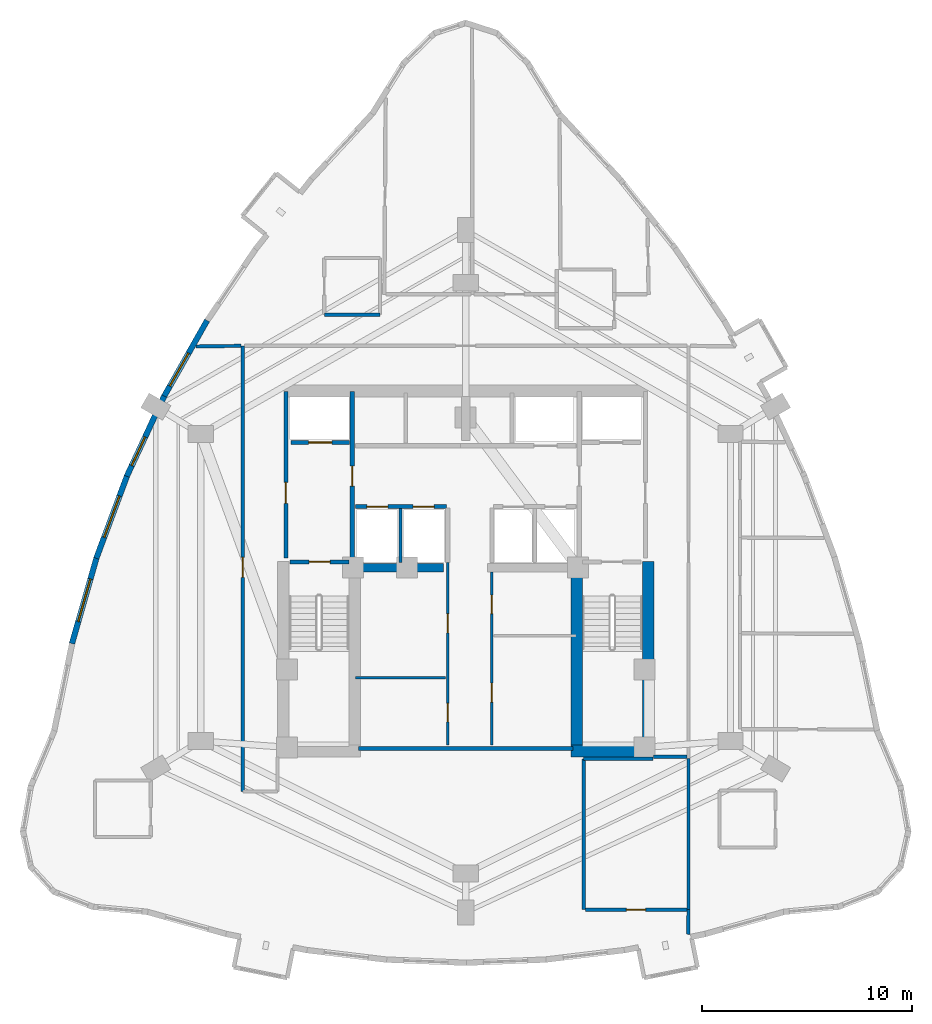
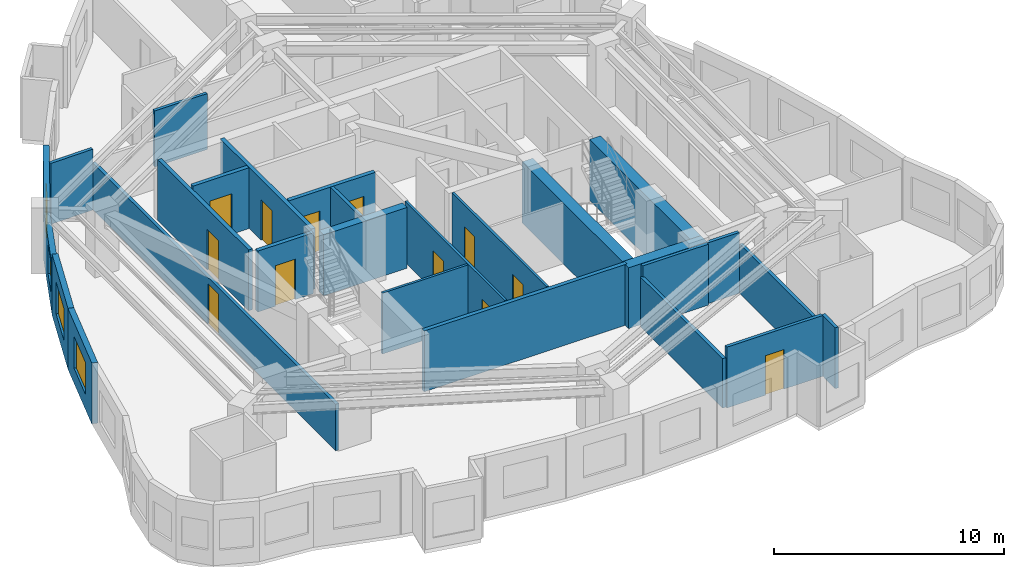
# One storey, part 4 of 8: 27 walls, 12 doors, 4 windows, 16 openings.
"""IFC4 building model written with IfcOpenShell, lengths in metres."""

from ifc_helpers import new_model, si_unit, direction, frame, frame_2d, origin, place, context, subcontext, project, spatial, rectangle, extrude, material, layer, layer_set, type_object, element, fill, save


model = new_model("IFC4")

# Units and contexts
model_context = context("Model", 3, precision=1e-05, world=origin(), true_north=direction((0.0, 1.0)))
body_context = subcontext(model_context, "Body", "Model", "MODEL_VIEW")
ifc_project = project(units=[si_unit("LENGTHUNIT", "METRE"), si_unit("AREAUNIT", "SQUARE_METRE"), si_unit("VOLUMEUNIT", "CUBIC_METRE"), si_unit("PLANEANGLEUNIT", "RADIAN"), si_unit("MASSUNIT", "GRAM", prefix="KILO")], contexts=[model_context])

# Site, building, storey
site_placement = place(None, origin())
site = spatial("IfcSite", under=ifc_project, at=site_placement, CompositionType="ELEMENT")
building_placement = place(site_placement, origin())
building = spatial("IfcBuilding", under=site, at=building_placement, Name="Miruveldt Soraemaru", CompositionType="ELEMENT")
storey_placement = place(building_placement, frame((0.0, 0.0, 177.39990234375)))
storey = spatial("IfcBuildingStorey", under=building, at=storey_placement, Name="L49", CompositionType="ELEMENT", Elevation=177.39990234375)

# Walls
ifc_material_1 = material(Name="Concrete C70/85 (70 MPa)", Category="concrete")
ifc_layer_1 = layer(ifc_material_1, 0.5, Name="Concrete C70/85 (70 MPa)", Category="concrete")
ifc_layer_set_1 = layer_set([ifc_layer_1], Name="Concrete C70/85 (70 MPa)")
wall_type_1 = type_object("IfcWallType", Name="WALL-BW-500", PredefinedType="SHEAR", material=ifc_layer_set_1)
wall_1_placement = place(storey_placement, frame((38.75, 44.050048828125, 0.0), z_axis=(0.0, 0.0, 1.0), x_axis=(1.0, 0.0, 0.0)))
element("IfcWall", 1, at=wall_1_placement, inside=storey, type_object=wall_type_1, Name="L49 Core Buttress Shear Wall BW", PredefinedType="SHEAR", context=body_context, shape_type="SweptSolid", body=[
    extrude(rectangle(XDim=4.199951171875, YDim=0.39990234375, at=frame_2d((2.10009765625, 0.0))), origin(), (0.0, 0.0, 1.0), 3.235107421875),
])
ifc_layer_2 = layer(ifc_material_1, 0.550048828125, Name="Concrete C70/85 (70 MPa)", Category="concrete")
ifc_layer_set_2 = layer_set([ifc_layer_2], Name="Concrete C70/85 (70 MPa)")
wall_type_2 = type_object("IfcWallType", Name="WALL-CW-550", PredefinedType="SHEAR", material=ifc_layer_set_2)
wall_2_placement = place(storey_placement, frame((49.0, 35.324951171875, 0.0), z_axis=(0.0, 0.0, 1.0), x_axis=(1.0, 0.0, 0.0)))
element("IfcWall", 2, at=wall_2_placement, inside=storey, type_object=wall_type_2, Name="L49 Central Core Shear Wall S2", PredefinedType="SHEAR", context=body_context, shape_type="SweptSolid", body=[
    extrude(rectangle(XDim=3.949951171875, YDim=0.550048828125, at=frame_2d((1.97509765625, 0.0))), origin(), (0.0, 0.0, 1.0), 3.235107421875),
])
wall_3_placement = place(storey_placement, frame((52.675048828125, 35.050048828125, 0.0), z_axis=(0.0, 0.0, 1.0), x_axis=(0.0, 1.0, 0.0)))
element("IfcWall", 3, at=wall_3_placement, inside=storey, type_object=wall_type_2, Name="L49 Central Core Shear Wall E1", PredefinedType="SHEAR", context=body_context, shape_type="SweptSolid", body=[
    extrude(rectangle(XDim=9.300048828125, YDim=0.550048828125, at=frame_2d((4.64990234375, 0.0))), origin(), (0.0, 0.0, 1.0), 3.235107421875),
])
wall_4_placement = place(storey_placement, frame((49.27490234375, 35.39990234375, 0.0), z_axis=(0.0, 0.0, 1.0), x_axis=(0.0, 1.0, 0.0)))
element("IfcWall", 4, at=wall_4_placement, inside=storey, type_object=wall_type_2, Name="L49 Central Core Shear Wall SE-INT", PredefinedType="SHEAR", context=body_context, shape_type="SweptSolid", body=[
    extrude(rectangle(XDim=8.9501953125, YDim=0.550048828125, at=frame_2d((4.47509765625, 0.0))), origin(), (0.0, 0.0, 1.0), 3.235107421875),
])

# Wall, opening, window
ifc_material_2 = material(Name="Precast concrete C45/55 (45 MPa)", Category="concrete")
ifc_layer_3 = layer(ifc_material_2, 0.27001953125, Name="Precast concrete C45/55 (45 MPa)", Category="concrete")
ifc_layer_set_3 = layer_set([ifc_layer_3], Name="Precast concrete C45/55 (45 MPa)")
wall_type_3 = type_object("IfcWallType", Name="WALL-EXT-PC270", PredefinedType="SOLIDWALL", material=ifc_layer_set_3)
wall_5_placement = place(storey_placement, frame((31.69970703125, 55.805419921875, 0.0), z_axis=(0.0, 0.0, 1.0), x_axis=(-0.493374182054, -0.869817174171, 0.0)))
wall_5 = element("IfcWall", 5, at=wall_5_placement, inside=storey, type_object=wall_type_3, Name="L49 Precast Concrete Facade Wall 10", PredefinedType="SOLIDWALL", context=body_context, shape_type="SweptSolid", body=[
    extrude(rectangle(XDim=4.20703125, YDim=0.27001953125, at=frame_2d((2.103515625, 0.0))), origin(), (0.0, 0.0, 1.0), 3.235107421875),
])
opening_1_placement = place(wall_5_placement, frame((1.7890625, 0.0, 0.800048828125)))
opening_1 = element("IfcOpeningElement", 6, at=opening_1_placement, cuts=wall_5, Name="Opening WN-2", PredefinedType="OPENING", context=body_context, shape_type="SweptSolid", body=[
    extrude(rectangle(XDim=1.800048828125, YDim=1.64990234375, at=frame_2d((0.89990234375, 0.824951171875))), frame((0.0, 0.14501953125, 0.0), z_axis=(0.0, -1.0, 0.0), x_axis=(1.0, 0.0, 0.0)), (0.0, 0.0, 1.0), 0.2900390625),
])
ifc_material_3 = material(Name="Triple low-e insulated glazing", Category="glass")
window_type_1 = type_object("IfcWindowType", Name="WIN-PUNCH-1800x1650", PartitioningType="SINGLE_PANEL", PredefinedType="WINDOW", material=ifc_material_3)
window_1_placement = place(opening_1_placement, origin())
window_1 = element("IfcWindow", 7, at=window_1_placement, inside=storey, type_object=window_type_1, Name="L49 Punched Triple-Glazed Window 10.1", OverallHeight=1.64990234375, OverallWidth=1.800048828125, PartitioningType="SINGLE_PANEL", PredefinedType="WINDOW", context=body_context, shape_type="SweptSolid", body=[
    extrude(rectangle(XDim=1.800048828125, YDim=1.64990234375, at=frame_2d((0.89990234375, 0.824951171875))), frame((0.0, 0.030029296875, 0.0), z_axis=(0.0, -1.0, 0.0), x_axis=(1.0, 0.0, 0.0)), (0.0, 0.0, 1.0), 0.06005859375),
])
fill(opening_1, window_1)

wall_6_placement = place(storey_placement, frame((29.65625, 52.2080078125, 0.0), z_axis=(0.0, 0.0, 1.0), x_axis=(-0.422345326192, -0.906435008947, 0.0)))
wall_6 = element("IfcWall", 8, at=wall_6_placement, inside=storey, type_object=wall_type_3, Name="L49 Precast Concrete Facade Wall 11", PredefinedType="SOLIDWALL", context=body_context, shape_type="SweptSolid", body=[
    extrude(rectangle(XDim=4.20703125, YDim=0.27001953125, at=frame_2d((2.103515625, 0.0))), origin(), (0.0, 0.0, 1.0), 2.635009765625),
])
opening_2_placement = place(wall_6_placement, frame((2.14990234375, 0.0, 0.800048828125)))
opening_2 = element("IfcOpeningElement", 9, at=opening_2_placement, cuts=wall_6, Name="Opening WN-3", PredefinedType="OPENING", context=body_context, shape_type="SweptSolid", body=[
    extrude(rectangle(XDim=1.5, YDim=1.60009765625, at=frame_2d((0.75, 0.800048828125))), frame((0.0, 0.14501953125, 0.0), z_axis=(0.0, -1.0, 0.0), x_axis=(1.0, 0.0, 0.0)), (0.0, 0.0, 1.0), 0.2900390625),
])
window_type_2 = type_object("IfcWindowType", Name="WIN-PUNCH-1500x1600", PartitioningType="SINGLE_PANEL", PredefinedType="WINDOW", material=ifc_material_3)
window_2_placement = place(opening_2_placement, origin())
window_2 = element("IfcWindow", 10, at=window_2_placement, inside=storey, type_object=window_type_2, Name="L49 Punched Triple-Glazed Window 11.1", OverallHeight=1.60009765625, OverallWidth=1.5, PartitioningType="SINGLE_PANEL", PredefinedType="WINDOW", context=body_context, shape_type="SweptSolid", body=[
    extrude(rectangle(XDim=1.5, YDim=1.60009765625, at=frame_2d((0.75, 0.800048828125))), frame((0.0, 0.030029296875, 0.0), z_axis=(0.0, -1.0, 0.0), x_axis=(1.0, 0.0, 0.0)), (0.0, 0.0, 1.0), 0.06005859375),
])
fill(opening_2, window_2)

wall_7_placement = place(storey_placement, frame((27.906494140625, 48.458984375, 0.0), z_axis=(0.0, 0.0, 1.0), x_axis=(-0.349011712454, -0.937118362092, 0.0)))
wall_7 = element("IfcWall", 11, at=wall_7_placement, inside=storey, type_object=wall_type_3, Name="L49 Precast Concrete Facade Wall 12", PredefinedType="SOLIDWALL", context=body_context, shape_type="SweptSolid", body=[
    extrude(rectangle(XDim=4.2333984375, YDim=0.27001953125, at=frame_2d((2.11669921875, 0.0))), origin(), (0.0, 0.0, 1.0), 3.235107421875),
])
opening_3_placement = place(wall_7_placement, frame((1.06689453125, 0.0, 0.800048828125)))
opening_3 = element("IfcOpeningElement", 12, at=opening_3_placement, cuts=wall_7, Name="Opening WN-1", PredefinedType="OPENING", context=body_context, shape_type="SweptSolid", body=[
    extrude(rectangle(XDim=2.10009765625, YDim=1.699951171875, at=frame_2d((1.050048828125, 0.85009765625))), frame((0.0, 0.14501953125, 0.0), z_axis=(0.0, -1.0, 0.0), x_axis=(1.0, 0.0, 0.0)), (0.0, 0.0, 1.0), 0.2900390625),
])
window_type_3 = type_object("IfcWindowType", Name="WIN-PUNCH-2100x1700", PartitioningType="SINGLE_PANEL", PredefinedType="WINDOW", material=ifc_material_3)
window_3_placement = place(opening_3_placement, origin())
window_3 = element("IfcWindow", 13, at=window_3_placement, inside=storey, type_object=window_type_3, Name="L49 Punched Triple-Glazed Window 12.1", OverallHeight=1.699951171875, OverallWidth=2.10009765625, PartitioningType="SINGLE_PANEL", PredefinedType="WINDOW", context=body_context, shape_type="SweptSolid", body=[
    extrude(rectangle(XDim=2.10009765625, YDim=1.699951171875, at=frame_2d((1.050048828125, 0.85009765625))), frame((0.0, 0.030029296875, 0.0), z_axis=(0.0, -1.0, 0.0), x_axis=(1.0, 0.0, 0.0)), (0.0, 0.0, 1.0), 0.06005859375),
])
fill(opening_3, window_3)

wall_8_placement = place(storey_placement, frame((26.45068359375, 44.55810546875, 0.0), z_axis=(0.0, 0.0, 1.0), x_axis=(-0.274984460163, -0.961448670845, 0.0)))
wall_8 = element("IfcWall", 14, at=wall_8_placement, inside=storey, type_object=wall_type_3, Name="L49 Precast Concrete Facade Wall 13", PredefinedType="SOLIDWALL", context=body_context, shape_type="SweptSolid", body=[
    extrude(rectangle(XDim=4.28564453125, YDim=0.27001953125, at=frame_2d((2.142822265625, 0.0))), origin(), (0.0, 0.0, 1.0), 3.235107421875),
])
opening_4_placement = place(wall_8_placement, frame((1.093017578125, 0.0, 0.800048828125)))
opening_4 = element("IfcOpeningElement", 15, at=opening_4_placement, cuts=wall_8, Name="Opening WN-1", PredefinedType="OPENING", context=body_context, shape_type="SweptSolid", body=[
    extrude(rectangle(XDim=2.10009765625, YDim=1.699951171875, at=frame_2d((1.050048828125, 0.85009765625))), frame((0.0, 0.14501953125, 0.0), z_axis=(0.0, -1.0, 0.0), x_axis=(1.0, 0.0, 0.0)), (0.0, 0.0, 1.0), 0.2900390625),
])
window_4_placement = place(opening_4_placement, origin())
window_4 = element("IfcWindow", 16, at=window_4_placement, inside=storey, type_object=window_type_3, Name="L49 Punched Triple-Glazed Window 13.1", OverallHeight=1.699951171875, OverallWidth=2.10009765625, PartitioningType="SINGLE_PANEL", PredefinedType="WINDOW", context=body_context, shape_type="SweptSolid", body=[
    extrude(rectangle(XDim=2.10009765625, YDim=1.699951171875, at=frame_2d((1.050048828125, 0.85009765625))), frame((0.0, 0.030029296875, 0.0), z_axis=(0.0, -1.0, 0.0), x_axis=(1.0, 0.0, 0.0)), (0.0, 0.0, 1.0), 0.06005859375),
])
fill(opening_4, window_4)

# Wall, openings, doors
ifc_material_4 = material(Name="Gypsum plasterboard lining", Category="gypsum")
ifc_layer_4 = layer(ifc_material_4, 0.1201171875, Name="Gypsum plasterboard lining", Category="gypsum")
ifc_layer_set_4 = layer_set([ifc_layer_4], Name="Gypsum plasterboard lining")
wall_type_4 = type_object("IfcWallType", Name="WALL-INT-P120", PredefinedType="PARTITIONING", material=ifc_layer_set_4)
wall_9_placement = place(storey_placement, frame((43.14990234375, 35.60009765625, 0.0), z_axis=(0.0, 0.0, 1.0), x_axis=(0.0, 1.0, 0.0)))
wall_9 = element("IfcWall", 17, at=wall_9_placement, inside=storey, type_object=wall_type_4, Name="L49 Core Compartment Wall SP-WL", PredefinedType="PARTITIONING", context=body_context, shape_type="SweptSolid", body=[
    extrude(rectangle(XDim=8.699951171875, YDim=0.1201171875, at=frame_2d((4.35009765625, 0.0))), origin(), (0.0, 0.0, 1.0), 3.235107421875),
])
opening_5_placement = place(wall_9_placement, frame((1.110107421875, 0.0, 0.0)))
opening_5 = element("IfcOpeningElement", 18, at=opening_5_placement, cuts=wall_9, Name="Opening D4", PredefinedType="OPENING", context=body_context, shape_type="SweptSolid", body=[
    extrude(rectangle(XDim=0.8798828125, YDim=2.10009765625, at=frame_2d((0.43994140625, 1.050048828125))), frame((0.0, 0.070068359375, 0.0), z_axis=(0.0, -1.0, 0.0), x_axis=(1.0, 0.0, 0.0)), (0.0, 0.0, 1.0), 0.14013671875),
])
opening_6_placement = place(wall_9_placement, frame((5.35009765625, 0.0, 0.0)))
opening_6 = element("IfcOpeningElement", 19, at=opening_6_placement, cuts=wall_9, Name="Opening D3", PredefinedType="OPENING", context=body_context, shape_type="SweptSolid", body=[
    extrude(rectangle(XDim=0.89990234375, YDim=2.10009765625, at=frame_2d((0.449951171875, 1.050048828125))), frame((0.0, 0.070068359375, 0.0), z_axis=(0.0, -1.0, 0.0), x_axis=(1.0, 0.0, 0.0)), (0.0, 0.0, 1.0), 0.14013671875),
])
ifc_material_5 = material(Name="Anodised aluminium EN AW-6063 T6", Category="aluminium")
door_type_1 = type_object("IfcDoorType", Name="DOOR-INT-880", OperationType="NOTDEFINED", PredefinedType="DOOR", material=ifc_material_5)
door_1_placement = place(opening_5_placement, origin())
door_1 = element("IfcDoor", 20, at=door_1_placement, inside=storey, type_object=door_type_1, Name="L49 Fire Door", OperationType="SINGLE_SWING_LEFT", OverallHeight=2.10009765625, OverallWidth=0.8798828125, PredefinedType="DOOR", context=body_context, shape_type="SweptSolid", body=[
    extrude(rectangle(XDim=0.8798828125, YDim=2.10009765625, at=frame_2d((0.43994140625, 1.050048828125))), frame((0.0, 0.02490234375, 0.0), z_axis=(0.0, -1.0, 0.0), x_axis=(1.0, 0.0, 0.0)), (0.0, 0.0, 1.0), 0.050048828125),
])
fill(opening_5, door_1)
door_type_2 = type_object("IfcDoorType", Name="DOOR-INT-900", OperationType="NOTDEFINED", PredefinedType="DOOR", material=ifc_material_5)
door_2_placement = place(opening_6_placement, origin())
door_2 = element("IfcDoor", 21, at=door_2_placement, inside=storey, type_object=door_type_2, Name="L49 Fire Door", OperationType="SINGLE_SWING_LEFT", OverallHeight=2.10009765625, OverallWidth=0.89990234375, PredefinedType="DOOR", context=body_context, shape_type="SweptSolid", body=[
    extrude(rectangle(XDim=0.89990234375, YDim=2.10009765625, at=frame_2d((0.449951171875, 1.050048828125))), frame((0.0, 0.02490234375, 0.0), z_axis=(0.0, -1.0, 0.0), x_axis=(1.0, 0.0, 0.0)), (0.0, 0.0, 1.0), 0.050048828125),
])
fill(opening_6, door_2)

wall_10_placement = place(storey_placement, frame((45.25, 35.60009765625, 0.0), z_axis=(0.0, 0.0, 1.0), x_axis=(0.0, 1.0, 0.0)))
wall_10 = element("IfcWall", 22, at=wall_10_placement, inside=storey, type_object=wall_type_4, Name="L49 Core Compartment Wall SP-EL", PredefinedType="PARTITIONING", context=body_context, shape_type="SweptSolid", body=[
    extrude(rectangle(XDim=8.25, YDim=0.1201171875, at=frame_2d((4.125, 0.0))), origin(), (0.0, 0.0, 1.0), 3.235107421875),
])
opening_7_placement = place(wall_10_placement, frame((2.050048828125, 0.0, 0.0)))
opening_7 = element("IfcOpeningElement", 23, at=opening_7_placement, cuts=wall_10, Name="Opening D3", PredefinedType="OPENING", context=body_context, shape_type="SweptSolid", body=[
    extrude(rectangle(XDim=0.89990234375, YDim=2.10009765625, at=frame_2d((0.449951171875, 1.050048828125))), frame((0.0, 0.070068359375, 0.0), z_axis=(0.0, -1.0, 0.0), x_axis=(1.0, 0.0, 0.0)), (0.0, 0.0, 1.0), 0.14013671875),
])
opening_8_placement = place(wall_10_placement, frame((6.260009765625, 0.0, 0.0)))
opening_8 = element("IfcOpeningElement", 24, at=opening_8_placement, cuts=wall_10, Name="Opening D4", PredefinedType="OPENING", context=body_context, shape_type="SweptSolid", body=[
    extrude(rectangle(XDim=0.8798828125, YDim=2.10009765625, at=frame_2d((0.43994140625, 1.050048828125))), frame((0.0, 0.070068359375, 0.0), z_axis=(0.0, -1.0, 0.0), x_axis=(1.0, 0.0, 0.0)), (0.0, 0.0, 1.0), 0.14013671875),
])
door_3_placement = place(opening_8_placement, origin())
door_3 = element("IfcDoor", 25, at=door_3_placement, inside=storey, type_object=door_type_1, Name="L49 Fire Door", OperationType="SINGLE_SWING_LEFT", OverallHeight=2.10009765625, OverallWidth=0.8798828125, PredefinedType="DOOR", context=body_context, shape_type="SweptSolid", body=[
    extrude(rectangle(XDim=0.8798828125, YDim=2.10009765625, at=frame_2d((0.43994140625, 1.050048828125))), frame((0.0, 0.02490234375, 0.0), z_axis=(0.0, -1.0, 0.0), x_axis=(1.0, 0.0, 0.0)), (0.0, 0.0, 1.0), 0.050048828125),
])
fill(opening_8, door_3)
door_4_placement = place(opening_7_placement, origin())
door_4 = element("IfcDoor", 26, at=door_4_placement, inside=storey, type_object=door_type_2, Name="L49 Fire Door", OperationType="SINGLE_SWING_LEFT", OverallHeight=2.10009765625, OverallWidth=0.89990234375, PredefinedType="DOOR", context=body_context, shape_type="SweptSolid", body=[
    extrude(rectangle(XDim=0.89990234375, YDim=2.10009765625, at=frame_2d((0.449951171875, 1.050048828125))), frame((0.0, 0.02490234375, 0.0), z_axis=(0.0, -1.0, 0.0), x_axis=(1.0, 0.0, 0.0)), (0.0, 0.0, 1.0), 0.050048828125),
])
fill(opening_7, door_4)

# Walls
wall_11_placement = place(storey_placement, frame((38.75, 38.800048828125, 0.0), z_axis=(0.0, 0.0, 1.0), x_axis=(1.0, 0.0, 0.0)))
element("IfcWall", 27, at=wall_11_placement, inside=storey, type_object=wall_type_4, Name="L49 Core Compartment Wall RL-W2H", PredefinedType="PARTITIONING", context=body_context, shape_type="SweptSolid", body=[
    extrude(rectangle(XDim=4.300048828125, YDim=0.1201171875, at=frame_2d((2.14990234375, 0.0))), origin(), (0.0, 0.0, 1.0), 3.235107421875),
])
ifc_layer_5 = layer(ifc_material_4, 0.14990234375, Name="Gypsum plasterboard lining", Category="gypsum")
ifc_layer_set_5 = layer_set([ifc_layer_5], Name="Gypsum plasterboard lining")
wall_type_5 = type_object("IfcWallType", Name="WALL-INT-PLUMB", PredefinedType="PLUMBINGWALL", material=ifc_layer_set_5)
wall_12_placement = place(storey_placement, frame((37.27490234375, 56.080078125, 0.0), z_axis=(0.0, 0.0, 1.0), x_axis=(1.0, 0.0, 0.0)))
element("IfcWall", 28, at=wall_12_placement, inside=storey, type_object=wall_type_5, Name="L49 Partition Wall 9", PredefinedType="PLUMBINGWALL", context=body_context, shape_type="SweptSolid", body=[
    extrude(rectangle(XDim=2.650146484375, YDim=0.14990234375, at=frame_2d((1.3251953125, 0.0))), origin(), (0.0, 0.0, 1.0), 2.97314453125),
])

# Wall, opening, door
ifc_material_6 = material(Name="Concrete C40/50 (40 MPa)", Category="concrete")
ifc_layer_6 = layer(ifc_material_6, 0.159912109375, Name="Concrete C40/50 (40 MPa)", Category="concrete")
ifc_layer_set_6 = layer_set([ifc_layer_6], Name="Concrete C40/50 (40 MPa)")
wall_type_6 = type_object("IfcWallType", Name="WALL-INT-RC160", PredefinedType="SOLIDWALL", material=ifc_layer_set_6)
wall_13_placement = place(storey_placement, frame((33.39990234375, 54.594970703125, 0.0), z_axis=(0.0, 0.0, 1.0), x_axis=(0.0, -1.0, 0.0)))
wall_13 = element("IfcWall", 29, at=wall_13_placement, inside=storey, type_object=wall_type_6, Name="L49 Partition Wall 2", PredefinedType="SOLIDWALL", context=body_context, shape_type="SweptSolid", body=[
    extrude(rectangle(XDim=21.195068359375, YDim=0.159912109375, at=frame_2d((10.59765625, 0.0))), origin(), (0.0, 0.0, 1.0), 2.47314453125),
])
opening_9_placement = place(wall_13_placement, frame((10.06201171875, 0.0, 0.0)))
opening_9 = element("IfcOpeningElement", 30, at=opening_9_placement, cuts=wall_13, Name="Opening FD2", PredefinedType="OPENING", context=body_context, shape_type="SweptSolid", body=[
    extrude(rectangle(XDim=0.949951171875, YDim=2.14990234375, at=frame_2d((0.47509765625, 1.074951171875))), frame((0.0, 0.08984375, 0.0), z_axis=(0.0, -1.0, 0.0), x_axis=(1.0, 0.0, 0.0)), (0.0, 0.0, 1.0), 0.179931640625),
])
door_type_3 = type_object("IfcDoorType", Name="DOOR-FD2-950", OperationType="NOTDEFINED", PredefinedType="DOOR", material=ifc_material_5)
door_5_placement = place(opening_9_placement, origin())
door_5 = element("IfcDoor", 31, at=door_5_placement, inside=storey, type_object=door_type_3, Name="L49 Unit CL02 Entrance Fire Door", OperationType="SINGLE_SWING_RIGHT", OverallHeight=2.14990234375, OverallWidth=0.949951171875, PredefinedType="DOOR", context=body_context, shape_type="SweptSolid", body=[
    extrude(rectangle(XDim=0.949951171875, YDim=2.14990234375, at=frame_2d((0.47509765625, 1.074951171875))), frame((0.0, 0.02490234375, 0.0), z_axis=(0.0, -1.0, 0.0), x_axis=(1.0, 0.0, 0.0)), (0.0, 0.0, 1.0), 0.050048828125),
])
fill(opening_9, door_5)

wall_14_placement = place(storey_placement, frame((54.52001953125, 27.778076171875, 0.0), z_axis=(0.0, 0.0, 1.0), x_axis=(-1.0, 0.0, 0.0)))
wall_14 = element("IfcWall", 32, at=wall_14_placement, inside=storey, type_object=wall_type_6, Name="L49 Partition Wall 29", PredefinedType="SOLIDWALL", context=body_context, shape_type="SweptSolid", body=[
    extrude(rectangle(XDim=4.8310546875, YDim=0.159912109375, at=frame_2d((2.41552734375, 0.0))), origin(), (0.0, 0.0, 1.0), 3.235107421875),
])
opening_10_placement = place(wall_14_placement, frame((1.9560546875, 0.0, 0.0)))
opening_10 = element("IfcOpeningElement", 33, at=opening_10_placement, cuts=wall_14, Name="Opening D3A", PredefinedType="OPENING", context=body_context, shape_type="SweptSolid", body=[
    extrude(rectangle(XDim=0.919921875, YDim=2.10009765625, at=frame_2d((0.4599609375, 1.050048828125))), frame((0.0, 0.08984375, 0.0), z_axis=(0.0, -1.0, 0.0), x_axis=(1.0, 0.0, 0.0)), (0.0, 0.0, 1.0), 0.179931640625),
])
door_type_4 = type_object("IfcDoorType", Name="DOOR-INT-920", OperationType="NOTDEFINED", PredefinedType="DOOR", material=ifc_material_5)
door_6_placement = place(opening_10_placement, origin())
door_6 = element("IfcDoor", 34, at=door_6_placement, inside=storey, type_object=door_type_4, Name="L49 Unit CL02 EXT Door", OperationType="SINGLE_SWING_RIGHT", OverallHeight=2.10009765625, OverallWidth=0.919921875, PredefinedType="DOOR", context=body_context, shape_type="SweptSolid", body=[
    extrude(rectangle(XDim=0.919921875, YDim=2.10009765625, at=frame_2d((0.4599609375, 1.050048828125))), frame((0.0, 0.02490234375, 0.0), z_axis=(0.0, -1.0, 0.0), x_axis=(1.0, 0.0, 0.0)), (0.0, 0.0, 1.0), 0.050048828125),
])
fill(opening_10, door_6)

# Walls
wall_15_placement = place(storey_placement, frame((54.60009765625, 34.9599609375, 0.0), z_axis=(0.0, 0.0, 1.0), x_axis=(0.0, -1.0, 0.0)))
element("IfcWall", 35, at=wall_15_placement, inside=storey, type_object=wall_type_6, Name="L49 Partition Wall 42", PredefinedType="SOLIDWALL", context=body_context, shape_type="SweptSolid", body=[
    extrude(rectangle(XDim=7.181884765625, YDim=0.159912109375, at=frame_2d((3.5908203125, 0.0))), origin(), (0.0, 0.0, 1.0), 2.635009765625),
])
wall_16_placement = place(storey_placement, frame((49.60888671875, 27.778076171875, 0.0), z_axis=(0.0, 0.0, 1.0), x_axis=(0.0, 1.0, 0.0)))
element("IfcWall", 36, at=wall_16_placement, inside=storey, type_object=wall_type_6, Name="L49 Partition Wall 43", PredefinedType="SOLIDWALL", context=body_context, shape_type="SweptSolid", body=[
    extrude(rectangle(XDim=7.171875, YDim=0.159912109375, at=frame_2d((3.5859375, 0.0))), origin(), (0.0, 0.0, 1.0), 2.635009765625),
])
wall_17_placement = place(storey_placement, frame((49.60888671875, 34.949951171875, 0.0), z_axis=(0.0, 0.0, 1.0), x_axis=(1.0, 0.0, 0.0)))
element("IfcWall", 37, at=wall_17_placement, inside=storey, type_object=wall_type_6, Name="L49 Partition Wall 44", PredefinedType="SOLIDWALL", context=body_context, shape_type="SweptSolid", body=[
    extrude(rectangle(XDim=3.30712890625, YDim=0.159912109375, at=frame_2d((1.653564453125, 0.0))), origin(), (0.0, 0.0, 1.0), 3.235107421875),
])
wall_18_placement = place(storey_placement, frame((40.89990234375, 44.300048828125, 0.0), z_axis=(0.0, 0.0, 1.0), x_axis=(0.0, 1.0, 0.0)))
element("IfcWall", 38, at=wall_18_placement, inside=storey, type_object=wall_type_6, Name="L49 Core Compartment Wall PLM-DW", PredefinedType="SOLIDWALL", context=body_context, shape_type="SweptSolid", body=[
    extrude(rectangle(XDim=2.550048828125, YDim=0.159912109375, at=frame_2d((1.27490234375, 0.0))), origin(), (0.0, 0.0, 1.0), 3.235107421875),
])
wall_19_placement = place(storey_placement, frame((31.169921875, 54.568115234375, 0.0), z_axis=(0.0, 0.0, 1.0), x_axis=(0.999895545538, 0.014453304608, 0.0)))
element("IfcWall", 39, at=wall_19_placement, inside=storey, type_object=wall_type_6, Name="L49 Partition Wall 18", PredefinedType="SOLIDWALL", context=body_context, shape_type="SweptSolid", body=[
    extrude(rectangle(XDim=2.145263671875, YDim=0.159912109375, at=frame_2d((1.07275390625, 0.0))), origin(), (0.0, 0.0, 1.0), 3.235107421875),
])
wall_20_placement = place(storey_placement, frame((52.946044921875, 35.050048828125, 0.0), z_axis=(0.0, 0.0, 1.0), x_axis=(1.0, 0.0, 0.0)))
element("IfcWall", 40, at=wall_20_placement, inside=storey, type_object=wall_type_6, Name="L49 Partition Wall 4", PredefinedType="SOLIDWALL", context=body_context, shape_type="SweptSolid", body=[
    extrude(rectangle(XDim=1.571044921875, YDim=0.159912109375, at=frame_2d((0.78564453125, 0.0))), origin(), (0.0, 0.0, 1.0), 3.235107421875),
])
wall_21_placement = place(storey_placement, frame((54.5869140625, 26.60888671875, 0.0), z_axis=(0.0, 0.0, 1.0), x_axis=(0.010440024029, 0.999945501464, 0.0)))
element("IfcWall", 41, at=wall_21_placement, inside=storey, type_object=wall_type_6, Name="L49 Partition Wall 30", PredefinedType="SOLIDWALL", context=body_context, shape_type="SweptSolid", body=[
    extrude(rectangle(XDim=1.169189453125, YDim=0.159912109375, at=frame_2d((0.58447265625, 0.0))), origin(), (0.0, 0.0, 1.0), 3.235107421875),
])

# Wall, opening, door
ifc_layer_7 = layer(ifc_material_6, 0.199951171875, Name="Concrete C40/50 (40 MPa)", Category="concrete")
ifc_layer_set_7 = layer_set([ifc_layer_7], Name="Concrete C40/50 (40 MPa)")
wall_type_7 = type_object("IfcWallType", Name="WALL-INT-RC200", PredefinedType="SOLIDWALL", material=ifc_layer_set_7)
wall_22_placement = place(storey_placement, frame((35.449951171875, 44.5, 0.0), z_axis=(0.0, 0.0, 1.0), x_axis=(0.0, 1.0, 0.0)))
wall_22 = element("IfcWall", 42, at=wall_22_placement, inside=storey, type_object=wall_type_7, Name="L49 Core Compartment Wall FFW-OUT", PredefinedType="SOLIDWALL", context=body_context, shape_type="SweptSolid", body=[
    extrude(rectangle(XDim=7.919921875, YDim=0.199951171875, at=frame_2d((3.9599609375, 0.0))), origin(), (0.0, 0.0, 1.0), 3.235107421875),
])
opening_11_placement = place(wall_22_placement, frame((2.60009765625, 0.0, 0.0)))
opening_11 = element("IfcOpeningElement", 43, at=opening_11_placement, cuts=wall_22, Name="Opening FD1", PredefinedType="OPENING", context=body_context, shape_type="SweptSolid", body=[
    extrude(rectangle(XDim=1.0, YDim=2.14990234375, at=frame_2d((0.5, 1.074951171875))), frame((0.0, 0.10986328125, 0.0), z_axis=(0.0, -1.0, 0.0), x_axis=(1.0, 0.0, 0.0)), (0.0, 0.0, 1.0), 0.219970703125),
])
door_type_5 = type_object("IfcDoorType", Name="DOOR-FD1-1000", OperationType="NOTDEFINED", PredefinedType="DOOR", material=ifc_material_5)
door_7_placement = place(opening_11_placement, origin())
door_7 = element("IfcDoor", 44, at=door_7_placement, inside=storey, type_object=door_type_5, Name="L49 West Firefighting Lobby Exit Door", OperationType="SINGLE_SWING_LEFT", OverallHeight=2.14990234375, OverallWidth=1.0, PredefinedType="DOOR", context=body_context, shape_type="SweptSolid", body=[
    extrude(rectangle(XDim=1.0, YDim=2.14990234375, at=frame_2d((0.5, 1.074951171875))), frame((0.0, 0.02490234375, 0.0), z_axis=(0.0, -1.0, 0.0), x_axis=(1.0, 0.0, 0.0)), (0.0, 0.0, 1.0), 0.050048828125),
])
fill(opening_11, door_7)

wall_23_placement = place(storey_placement, frame((38.60009765625, 44.5, 0.0), z_axis=(0.0, 0.0, 1.0), x_axis=(0.0, 1.0, 0.0)))
wall_23 = element("IfcWall", 45, at=wall_23_placement, inside=storey, type_object=wall_type_7, Name="L49 Core Compartment Wall FFW-IN", PredefinedType="SOLIDWALL", context=body_context, shape_type="SweptSolid", body=[
    extrude(rectangle(XDim=7.919921875, YDim=0.199951171875, at=frame_2d((3.9599609375, 0.0))), origin(), (0.0, 0.0, 1.0), 3.235107421875),
])
opening_12_placement = place(wall_23_placement, frame((3.425048828125, 0.0, 0.0)))
opening_12 = element("IfcOpeningElement", 46, at=opening_12_placement, cuts=wall_23, Name="Opening FD2", PredefinedType="OPENING", context=body_context, shape_type="SweptSolid", body=[
    extrude(rectangle(XDim=0.949951171875, YDim=2.14990234375, at=frame_2d((0.47509765625, 1.074951171875))), frame((0.0, 0.10986328125, 0.0), z_axis=(0.0, -1.0, 0.0), x_axis=(1.0, 0.0, 0.0)), (0.0, 0.0, 1.0), 0.219970703125),
])
door_8_placement = place(opening_12_placement, frame((0.949951171875, 0.0, 0.0), z_axis=(0.0, 0.0, 1.0), x_axis=(-1.0, 0.0, 0.0)))
door_8 = element("IfcDoor", 47, at=door_8_placement, inside=storey, type_object=door_type_3, Name="L49 Lift Lobby to West Fire Lobby Door", OperationType="SINGLE_SWING_RIGHT", OverallHeight=2.14990234375, OverallWidth=0.949951171875, PredefinedType="DOOR", context=body_context, shape_type="SweptSolid", body=[
    extrude(rectangle(XDim=0.949951171875, YDim=2.14990234375, at=frame_2d((0.47509765625, 1.074951171875))), frame((0.0, 0.02490234375, 0.0), z_axis=(0.0, -1.0, 0.0), x_axis=(1.0, 0.0, 0.0)), (0.0, 0.0, 1.0), 0.050048828125),
])
fill(opening_12, door_8)

# Wall, openings, doors
wall_24_placement = place(storey_placement, frame((38.75, 46.949951171875, 0.0), z_axis=(0.0, 0.0, 1.0), x_axis=(1.0, 0.0, 0.0)))
wall_24 = element("IfcWall", 48, at=wall_24_placement, inside=storey, type_object=wall_type_7, Name="L49 Core Compartment Wall MBW-N", PredefinedType="SOLIDWALL", context=body_context, shape_type="SweptSolid", body=[
    extrude(rectangle(XDim=4.330078125, YDim=0.199951171875, at=frame_2d((2.1650390625, 0.0))), origin(), (0.0, 0.0, 1.0), 3.235107421875),
])
opening_13_placement = place(wall_24_placement, frame((0.550048828125, 0.0, 0.0)))
opening_13 = element("IfcOpeningElement", 49, at=opening_13_placement, cuts=wall_24, Name="Opening LD1B", PredefinedType="OPENING", context=body_context, shape_type="SweptSolid", body=[
    extrude(rectangle(XDim=1.0, YDim=2.14990234375, at=frame_2d((0.5, 1.074951171875))), frame((0.0, 0.10986328125, 0.0), z_axis=(0.0, -1.0, 0.0), x_axis=(1.0, 0.0, 0.0)), (0.0, 0.0, 1.0), 0.219970703125),
])
opening_14_placement = place(wall_24_placement, frame((2.75, 0.0, 0.0)))
opening_14 = element("IfcOpeningElement", 50, at=opening_14_placement, cuts=wall_24, Name="Opening LD1B", PredefinedType="OPENING", context=body_context, shape_type="SweptSolid", body=[
    extrude(rectangle(XDim=1.0, YDim=2.14990234375, at=frame_2d((0.5, 1.074951171875))), frame((0.0, 0.10986328125, 0.0), z_axis=(0.0, -1.0, 0.0), x_axis=(1.0, 0.0, 0.0)), (0.0, 0.0, 1.0), 0.219970703125),
])
door_type_6 = type_object("IfcDoorType", Name="DOOR-LD1-1000", OperationType="SLIDING_TO_LEFT", PredefinedType="DOOR", material=ifc_material_5)
door_9_placement = place(opening_13_placement, origin())
door_9 = element("IfcDoor", 51, at=door_9_placement, inside=storey, type_object=door_type_6, Name="L49 PL-M1 Landing Door", OperationType="SLIDING_TO_LEFT", OverallHeight=2.14990234375, OverallWidth=1.0, PredefinedType="DOOR", context=body_context, shape_type="SweptSolid", body=[
    extrude(rectangle(XDim=1.0, YDim=2.14990234375, at=frame_2d((0.5, 1.074951171875))), frame((0.0, 0.02490234375, 0.0), z_axis=(0.0, -1.0, 0.0), x_axis=(1.0, 0.0, 0.0)), (0.0, 0.0, 1.0), 0.050048828125),
])
fill(opening_13, door_9)
door_10_placement = place(opening_14_placement, origin())
door_10 = element("IfcDoor", 52, at=door_10_placement, inside=storey, type_object=door_type_6, Name="L49 PL-M2 Landing Door", OperationType="SLIDING_TO_LEFT", OverallHeight=2.14990234375, OverallWidth=1.0, PredefinedType="DOOR", context=body_context, shape_type="SweptSolid", body=[
    extrude(rectangle(XDim=1.0, YDim=2.14990234375, at=frame_2d((0.5, 1.074951171875))), frame((0.0, 0.02490234375, 0.0), z_axis=(0.0, -1.0, 0.0), x_axis=(1.0, 0.0, 0.0)), (0.0, 0.0, 1.0), 0.050048828125),
])
fill(opening_14, door_10)

# Wall, opening, door
wall_25_placement = place(storey_placement, frame((35.64990234375, 44.320068359375, 0.0), z_axis=(0.0, 0.0, 1.0), x_axis=(1.0, 0.0, 0.0)))
wall_25 = element("IfcWall", 53, at=wall_25_placement, inside=storey, type_object=wall_type_7, Name="L49 Core Compartment Wall ST1-N", PredefinedType="SOLIDWALL", context=body_context, shape_type="SweptSolid", body=[
    extrude(rectangle(XDim=2.800048828125, YDim=0.199951171875, at=frame_2d((1.39990234375, 0.0))), origin(), (0.0, 0.0, 1.0), 3.235107421875),
])
opening_15_placement = place(wall_25_placement, frame((0.89990234375, 0.0, 0.0)))
opening_15 = element("IfcOpeningElement", 54, at=opening_15_placement, cuts=wall_25, Name="Opening FD1", PredefinedType="OPENING", context=body_context, shape_type="SweptSolid", body=[
    extrude(rectangle(XDim=1.0, YDim=2.14990234375, at=frame_2d((0.5, 1.074951171875))), frame((0.0, 0.10986328125, 0.0), z_axis=(0.0, -1.0, 0.0), x_axis=(1.0, 0.0, 0.0)), (0.0, 0.0, 1.0), 0.219970703125),
])
door_11_placement = place(opening_15_placement, frame((1.0, 0.0, 0.0), z_axis=(0.0, 0.0, 1.0), x_axis=(-1.0, 0.0, 0.0)))
door_11 = element("IfcDoor", 55, at=door_11_placement, inside=storey, type_object=door_type_5, Name="L49 Stair ST-1 Fire Door", OperationType="SINGLE_SWING_LEFT", OverallHeight=2.14990234375, OverallWidth=1.0, PredefinedType="DOOR", context=body_context, shape_type="SweptSolid", body=[
    extrude(rectangle(XDim=1.0, YDim=2.14990234375, at=frame_2d((0.5, 1.074951171875))), frame((0.0, 0.02490234375, 0.0), z_axis=(0.0, -1.0, 0.0), x_axis=(1.0, 0.0, 0.0)), (0.0, 0.0, 1.0), 0.050048828125),
])
fill(opening_15, door_11)

wall_26_placement = place(storey_placement, frame((35.679931640625, 50.0, 0.0), z_axis=(0.0, 0.0, 1.0), x_axis=(1.0, 0.0, 0.0)))
wall_26 = element("IfcWall", 56, at=wall_26_placement, inside=storey, type_object=wall_type_7, Name="L49 Core Compartment Wall FFL1-S", PredefinedType="SOLIDWALL", context=body_context, shape_type="SweptSolid", body=[
    extrude(rectangle(XDim=2.800048828125, YDim=0.199951171875, at=frame_2d((1.39990234375, 0.0))), origin(), (0.0, 0.0, 1.0), 3.235107421875),
])
opening_16_placement = place(wall_26_placement, frame((0.85009765625, 0.0, 0.0)))
opening_16 = element("IfcOpeningElement", 57, at=opening_16_placement, cuts=wall_26, Name="Opening LD2", PredefinedType="OPENING", context=body_context, shape_type="SweptSolid", body=[
    extrude(rectangle(XDim=1.10009765625, YDim=2.14990234375, at=frame_2d((0.550048828125, 1.074951171875))), frame((0.0, 0.10986328125, 0.0), z_axis=(0.0, -1.0, 0.0), x_axis=(1.0, 0.0, 0.0)), (0.0, 0.0, 1.0), 0.219970703125),
])
door_type_7 = type_object("IfcDoorType", Name="DOOR-LD2-1100", OperationType="SLIDING_TO_LEFT", PredefinedType="DOOR", material=ifc_material_5)
door_12_placement = place(opening_16_placement, origin())
door_12 = element("IfcDoor", 58, at=door_12_placement, inside=storey, type_object=door_type_7, Name="L49 FFL-1 Landing Door", OperationType="SLIDING_TO_LEFT", OverallHeight=2.14990234375, OverallWidth=1.10009765625, PredefinedType="DOOR", context=body_context, shape_type="SweptSolid", body=[
    extrude(rectangle(XDim=1.10009765625, YDim=2.14990234375, at=frame_2d((0.550048828125, 1.074951171875))), frame((0.0, 0.02490234375, 0.0), z_axis=(0.0, -1.0, 0.0), x_axis=(1.0, 0.0, 0.0)), (0.0, 0.0, 1.0), 0.050048828125),
])
fill(opening_16, door_12)

# Wall
wall_27_placement = place(storey_placement, frame((38.89990234375, 35.449951171875, 0.0), z_axis=(0.0, 0.0, 1.0), x_axis=(1.0, 0.0, 0.0)))
element("IfcWall", 59, at=wall_27_placement, inside=storey, type_object=wall_type_7, Name="L49 Core Compartment Wall CS-S", PredefinedType="SOLIDWALL", context=body_context, shape_type="SweptSolid", body=[
    extrude(rectangle(XDim=10.2001953125, YDim=0.199951171875, at=frame_2d((5.10009765625, 0.0))), origin(), (0.0, 0.0, 1.0), 3.235107421875),
])

save(model, "model.ifc")
